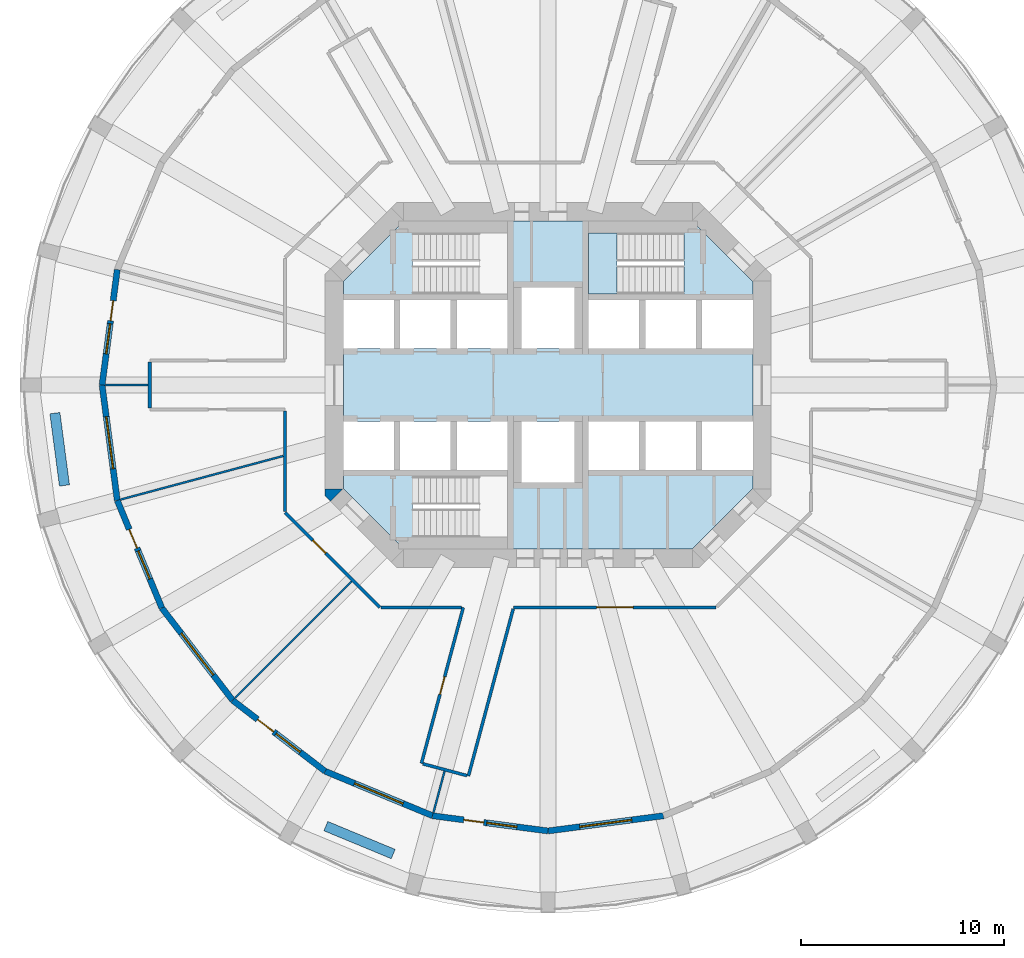
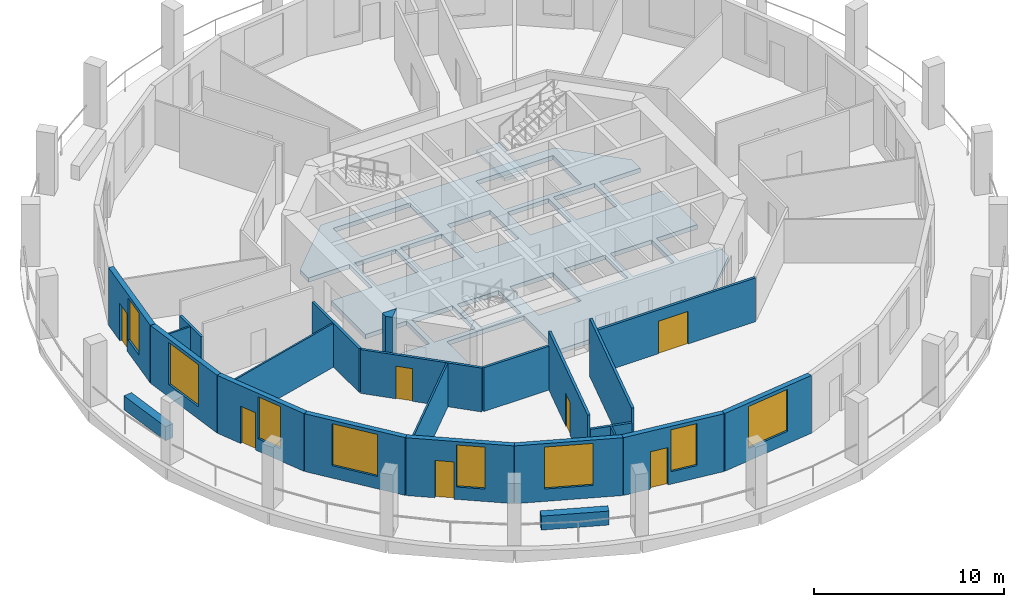
# One storey, part 2 of 9: 23 walls, 8 windows, 7 doors, 2 slabs, 15 openings, 1 element without a shape of its own.
"""IFC4 building model written with IfcOpenShell, lengths in metres."""

from ifc_helpers import new_model, si_unit, direction, frame, frame_2d, origin, place, context, subcontext, project, spatial, polyline, rectangle, outline, extrude, material, layer, layer_set, type_object, element, fill, aggregate, save


model = new_model("IFC4")

# Units and contexts
model_context = context("Model", 3, precision=1e-05, world=origin(), true_north=direction((0.0, 1.0)))
body_context = subcontext(model_context, "Body", "Model", "MODEL_VIEW")
ifc_project = project(units=[si_unit("LENGTHUNIT", "METRE"), si_unit("AREAUNIT", "SQUARE_METRE"), si_unit("VOLUMEUNIT", "CUBIC_METRE"), si_unit("PLANEANGLEUNIT", "RADIAN"), si_unit("MASSUNIT", "GRAM", prefix="KILO")], contexts=[model_context])

# Site, building, storey
site_placement = place(None, origin())
site = spatial("IfcSite", under=ifc_project, at=site_placement, CompositionType="ELEMENT")
building_placement = place(site_placement, origin())
building = spatial("IfcBuilding", under=site, at=building_placement, Name="Torre Triforio", CompositionType="ELEMENT")
storey_placement = place(building_placement, frame((0.0, 0.0, 106.60009765625)))
storey = spatial("IfcBuildingStorey", under=building, at=storey_placement, Name="L23", CompositionType="ELEMENT", Elevation=106.60009765625)

# Slab
ifc_material_1 = material(Name="Concrete C60", Category="concrete")
ifc_layer_1 = layer(ifc_material_1, 0.280029296875)
ifc_layer_set_1 = layer_set([ifc_layer_1], Name="Concrete C60")
slab_type_1 = type_object("IfcSlabType", Name="Core floor slab 280 mm C60 REI 120", PredefinedType="FLOOR", material=ifc_layer_set_1)
slab_1_placement = place(storey_placement, frame((0.0, 0.0, -0.280029296875)))
element("IfcSlab", 1, at=slab_1_placement, inside=storey, type_object=slab_type_1, Name="Core floor slab", PredefinedType="FLOOR", context=body_context, shape_type="SweptSolid", body=[
    extrude(outline(polyline([(10.10009765625, -5.10009765625), (7.10009765625, -8.10009765625), (-7.10009765625, -8.10009765625), (-10.10009765625, -5.10009765625), (-10.10009765625, -4.199951171875), (-7.60009765625, -4.199951171875), (-7.60009765625, -1.800048828125), (-10.10009765625, -1.800048828125), (-10.10009765625, 1.800048828125), (-7.60009765625, 1.800048828125), (-7.60009765625, 4.199951171875), (-10.10009765625, 4.199951171875), (-10.10009765625, 5.10009765625), (-7.10009765625, 8.10009765625), (7.10009765625, 8.10009765625), (10.10009765625, 5.10009765625), (10.10009765625, 4.199951171875), (7.60009765625, 4.199951171875), (7.60009765625, 1.800048828125), (10.10009765625, 1.800048828125), (10.10009765625, -1.800048828125), (7.60009765625, -1.800048828125), (7.60009765625, -4.199951171875), (10.10009765625, -4.199951171875), (10.10009765625, -5.10009765625)]), holes=[polyline([(-2.0, -4.5), (-6.696044921875, -4.5), (-6.696044921875, -7.5), (-2.0, -7.5), (-2.0, -4.5)]), polyline([(-4.800048828125, -1.800048828125), (-7.300048828125, -1.800048828125), (-7.300048828125, -4.199951171875), (-4.800048828125, -4.199951171875), (-4.800048828125, -1.800048828125)]), polyline([(-2.0, -1.800048828125), (-4.5, -1.800048828125), (-4.5, -4.199951171875), (-2.0, -4.199951171875), (-2.0, -1.800048828125)]), polyline([(-4.800048828125, 4.199951171875), (-7.300048828125, 4.199951171875), (-7.300048828125, 1.800048828125), (-4.800048828125, 1.800048828125), (-4.800048828125, 4.199951171875)]), polyline([(-2.0, 4.199951171875), (-4.5, 4.199951171875), (-4.5, 1.800048828125), (-2.0, 1.800048828125), (-2.0, 4.199951171875)]), polyline([(1.300048828125, 4.800048828125), (-1.300048828125, 4.800048828125), (-1.300048828125, 1.800048828125), (1.300048828125, 1.800048828125), (1.300048828125, 4.800048828125)]), polyline([(-2.0, 7.5), (-6.696044921875, 7.5), (-6.696044921875, 4.5), (-2.0, 4.5), (-2.0, 7.5)]), polyline([(1.300048828125, -1.800048828125), (-1.300048828125, -1.800048828125), (-1.300048828125, -4.800048828125), (1.300048828125, -4.800048828125), (1.300048828125, -1.800048828125)]), polyline([(4.5, -1.800048828125), (2.0, -1.800048828125), (2.0, -4.199951171875), (4.5, -4.199951171875), (4.5, -1.800048828125)]), polyline([(7.300048828125, -1.800048828125), (4.800048828125, -1.800048828125), (4.800048828125, -4.199951171875), (7.300048828125, -4.199951171875), (7.300048828125, -1.800048828125)]), polyline([(4.5, 4.199951171875), (2.0, 4.199951171875), (2.0, 1.800048828125), (4.5, 1.800048828125), (4.5, 4.199951171875)]), polyline([(7.300048828125, 4.199951171875), (4.800048828125, 4.199951171875), (4.800048828125, 1.800048828125), (7.300048828125, 1.800048828125), (7.300048828125, 4.199951171875)]), polyline([(6.696044921875, 4.5), (6.696044921875, 7.5), (2.0, 7.5), (2.0, 4.5), (6.696044921875, 4.5)])]), origin(), (0.0, 0.0, 1.0), 0.280029296875),
])

# Stair, slab
ifc_material_2 = material(Name="Concrete C40", Category="concrete")
stair_type = type_object("IfcStairType", Name="STAIR HALF-TURN", PredefinedType="HALF_TURN_STAIR", material=ifc_material_2)
stair_placement = place(storey_placement, origin())
stair = element("IfcStair", 2, at=stair_placement, inside=storey, type_object=stair_type, Name="Exit stair 2", PredefinedType="HALF_TURN_STAIR")
ifc_layer_2 = layer(ifc_material_2, 0.199951171875)
ifc_layer_set_2 = layer_set([ifc_layer_2], Name="Concrete C40")
slab_type_2 = type_object("IfcSlabType", Name="STAIR LANDING 200", PredefinedType="LANDING", material=ifc_layer_set_2)
slab_2_placement = place(storey_placement, frame((0.0, 0.0, 1.7998046875)))
slab_2 = element("IfcSlab", 3, at=slab_2_placement, type_object=slab_type_2, Name="ST2 landing 1", PredefinedType="LANDING", context=body_context, shape_type="SweptSolid", body=[
    extrude(outline(polyline([(3.39990234375, 4.5), (3.39990234375, 7.5), (2.0, 7.5), (2.0, 4.5), (3.39990234375, 4.5)])), origin(), (0.0, 0.0, 1.0), 0.2001953125),
])
aggregate(stair, [slab_2])

# Wall
ifc_layer_3 = layer(ifc_material_1, 0.89990234375)
ifc_layer_set_3 = layer_set([ifc_layer_3], Name="Concrete C60")
wall_type_1 = type_object("IfcWallType", Name="Core wall 900 mm C60 EI 120", PredefinedType="SHEAR", material=ifc_layer_set_3)
wall_1_placement = place(storey_placement, frame((0.0, 0.0, -0.280029296875)))
element("IfcWall", 4, at=wall_1_placement, inside=storey, type_object=wall_type_1, Name="Core wall", PredefinedType="SHEAR", context=body_context, shape_type="SweptSolid", body=[
    extrude(outline(polyline([(-11.0, -5.472900390625), (-11.0, -5.1298828125), (-10.1298828125, -5.1298828125), (-10.736328125, -5.736328125), (-11.0, -5.472900390625)])), origin(), (0.0, 0.0, 1.0), 4.0),
])

# Wall, opening, door
ifc_material_3 = material(Name="Plasterboard on metal studs")
ifc_layer_4 = layer(ifc_material_3, 0.14990234375)
ifc_layer_set_4 = layer_set([ifc_layer_4], Name="Plasterboard on metal studs")
wall_type_2 = type_object("IfcWallType", Name="Corridor and tenancy wall 150 mm EI 60", PredefinedType="PARTITIONING", material=ifc_layer_set_4)
wall_2_placement = place(storey_placement, frame((-8.291015625, -10.97509765625, 0.0), z_axis=(0.0, 0.0, 1.0), x_axis=(-0.707106781187, 0.707106781187, 0.0)))
wall_2 = element("IfcWall", 5, at=wall_2_placement, inside=storey, type_object=wall_type_2, Name="Partition 1", PredefinedType="PARTITIONING", context=body_context, shape_type="SweptSolid", body=[
    extrude(rectangle(XDim=6.624267578125, YDim=0.14990234375, at=frame_2d((3.31201171875, 0.0))), origin(), (0.0, 0.0, 1.0), 2.81982421875),
])
opening_1_placement = place(wall_2_placement, frame((3.7861328125, 0.0, 0.0)))
opening_1 = element("IfcOpeningElement", 6, at=opening_1_placement, cuts=wall_2, Name="Opening N7-04", PredefinedType="OPENING", context=body_context, shape_type="SweptSolid", body=[
    extrude(rectangle(XDim=0.89990234375, YDim=2.10009765625, at=frame_2d((0.449951171875, 1.050048828125))), frame((0.0, 0.0849609375, 0.0), z_axis=(0.0, -1.0, 0.0), x_axis=(1.0, 0.0, 0.0)), (0.0, 0.0, 1.0), 0.169921875),
])
ifc_material_4 = material(Name="Timber", Category="wood")
door_type_1 = type_object("IfcDoorType", Name="Door 900 x 2100 single leaf EI 30", OperationType="NOTDEFINED", PredefinedType="DOOR", material=ifc_material_4)
door_1_placement = place(opening_1_placement, origin())
door_1 = element("IfcDoor", 7, at=door_1_placement, inside=storey, type_object=door_type_1, Name="Door N7-04", OperationType="SINGLE_SWING_RIGHT", OverallHeight=2.10009765625, OverallWidth=0.89990234375, PredefinedType="DOOR", context=body_context, shape_type="SweptSolid", body=[
    extrude(rectangle(XDim=0.89990234375, YDim=2.10009765625, at=frame_2d((0.449951171875, 1.050048828125))), frame((0.0, 0.02490234375, 0.0), z_axis=(0.0, -1.0, 0.0), x_axis=(1.0, 0.0, 0.0)), (0.0, 0.0, 1.0), 0.050048828125),
])
fill(opening_1, door_1)

# Walls
wall_3_placement = place(storey_placement, frame((-12.97509765625, -6.23828125, 0.0), z_axis=(0.0, 0.0, 1.0), x_axis=(0.0, 1.0, 0.0)))
element("IfcWall", 8, at=wall_3_placement, inside=storey, type_object=wall_type_2, Name="Partition 2", PredefinedType="PARTITIONING", context=body_context, shape_type="SweptSolid", body=[
    extrude(rectangle(XDim=4.96337890625, YDim=0.14990234375, at=frame_2d((2.481689453125, 0.0))), origin(), (0.0, 0.0, 1.0), 2.81982421875),
])
wall_4_placement = place(storey_placement, frame((-19.648681640625, -1.125, 0.0), z_axis=(0.0, 0.0, 1.0), x_axis=(0.0, 1.0, 0.0)))
element("IfcWall", 9, at=wall_4_placement, inside=storey, type_object=wall_type_2, Name="Partition 4", PredefinedType="PARTITIONING", context=body_context, shape_type="SweptSolid", body=[
    extrude(rectangle(XDim=2.25, YDim=0.14990234375, at=frame_2d((1.125, 0.0))), origin(), (0.0, 0.0, 1.0), 2.81982421875),
])

# Wall, opening, door
wall_5_placement = place(storey_placement, frame((8.291015625, -10.97509765625, 0.0), z_axis=(0.0, 0.0, 1.0), x_axis=(-1.0, 0.0, 0.0)))
wall_5 = element("IfcWall", 10, at=wall_5_placement, inside=storey, type_object=wall_type_2, Name="Partition 26", PredefinedType="PARTITIONING", context=body_context, shape_type="SweptSolid", body=[
    extrude(rectangle(XDim=9.989501953125, YDim=0.14990234375, at=frame_2d((4.99462890625, 0.0))), origin(), (0.0, 0.0, 1.0), 2.81982421875),
])
opening_2_placement = place(wall_5_placement, frame((4.094482421875, 0.0, 0.0)))
opening_2 = element("IfcOpeningElement", 11, at=opening_2_placement, cuts=wall_5, Name="Opening N7-06", PredefinedType="OPENING", context=body_context, shape_type="SweptSolid", body=[
    extrude(rectangle(XDim=1.800048828125, YDim=2.10009765625, at=frame_2d((0.89990234375, 1.050048828125))), frame((0.0, 0.0849609375, 0.0), z_axis=(0.0, -1.0, 0.0), x_axis=(1.0, 0.0, 0.0)), (0.0, 0.0, 1.0), 0.169921875),
])
door_type_2 = type_object("IfcDoorType", Name="Door 1800 x 2100 double leaf EI 30", OperationType="DOUBLE_DOOR_SINGLE_SWING", PredefinedType="DOOR", material=ifc_material_4)
door_2_placement = place(opening_2_placement, origin())
door_2 = element("IfcDoor", 12, at=door_2_placement, inside=storey, type_object=door_type_2, Name="Door N7-06", OperationType="DOUBLE_DOOR_SINGLE_SWING", OverallHeight=2.10009765625, OverallWidth=1.800048828125, PredefinedType="DOOR", context=body_context, shape_type="SweptSolid", body=[
    extrude(rectangle(XDim=1.800048828125, YDim=2.10009765625, at=frame_2d((0.89990234375, 1.050048828125))), frame((0.0, 0.02490234375, 0.0), z_axis=(0.0, -1.0, 0.0), x_axis=(1.0, 0.0, 0.0)), (0.0, 0.0, 1.0), 0.050048828125),
])
fill(opening_2, door_2)

# Walls
wall_6_placement = place(storey_placement, frame((-1.71728515625, -11.044921875, 0.0), z_axis=(0.0, 0.0, 1.0), x_axis=(-0.258794702264, -0.965932348604, 0.0)))
element("IfcWall", 13, at=wall_6_placement, inside=storey, type_object=wall_type_2, Name="Partition 27", PredefinedType="PARTITIONING", context=body_context, shape_type="SweptSolid", body=[
    extrude(rectangle(XDim=8.53564453125, YDim=0.14990234375, at=frame_2d((4.267822265625, 0.0))), origin(), (0.0, 0.0, 1.0), 3.719970703125),
])
wall_7_placement = place(storey_placement, frame((-3.998779296875, -19.2705078125, 0.0), z_axis=(0.0, 0.0, 1.0), x_axis=(-0.965906393436, 0.258891558609, 0.0)))
element("IfcWall", 14, at=wall_7_placement, inside=storey, type_object=wall_type_2, Name="Partition 28", PredefinedType="PARTITIONING", context=body_context, shape_type="SweptSolid", body=[
    extrude(rectangle(XDim=2.25, YDim=0.14990234375, at=frame_2d((1.125, 0.0))), origin(), (0.0, 0.0, 1.0), 2.81982421875),
])

# Wall, opening, door
wall_8_placement = place(storey_placement, frame((-6.24462890625, -18.668701171875, 0.0), z_axis=(0.0, 0.0, 1.0), x_axis=(0.258822393938, 0.965924928965, 0.0)))
wall_8 = element("IfcWall", 15, at=wall_8_placement, inside=storey, type_object=wall_type_2, Name="Partition 29", PredefinedType="PARTITIONING", context=body_context, shape_type="SweptSolid", body=[
    extrude(rectangle(XDim=7.965087890625, YDim=0.14990234375, at=frame_2d((3.982421875, 0.0))), origin(), (0.0, 0.0, 1.0), 3.719970703125),
])
opening_3_placement = place(wall_8_placement, frame((3.532470703125, 0.0, 0.0)))
opening_3 = element("IfcOpeningElement", 16, at=opening_3_placement, cuts=wall_8, Name="Opening N7-05", PredefinedType="OPENING", context=body_context, shape_type="SweptSolid", body=[
    extrude(rectangle(XDim=0.89990234375, YDim=2.10009765625, at=frame_2d((0.449951171875, 1.050048828125))), frame((0.0, 0.0849609375, 0.0), z_axis=(0.0, -1.0, 0.0), x_axis=(1.0, 0.0, 0.0)), (0.0, 0.0, 1.0), 0.169921875),
])
door_3_placement = place(opening_3_placement, origin())
door_3 = element("IfcDoor", 17, at=door_3_placement, inside=storey, type_object=door_type_1, Name="Door N7-05", OperationType="SINGLE_SWING_LEFT", OverallHeight=2.10009765625, OverallWidth=0.89990234375, PredefinedType="DOOR", context=body_context, shape_type="SweptSolid", body=[
    extrude(rectangle(XDim=0.89990234375, YDim=2.10009765625, at=frame_2d((0.449951171875, 1.050048828125))), frame((0.0, 0.02490234375, 0.0), z_axis=(0.0, -1.0, 0.0), x_axis=(1.0, 0.0, 0.0)), (0.0, 0.0, 1.0), 0.050048828125),
])
fill(opening_3, door_3)

# Walls
wall_9_placement = place(storey_placement, frame((-4.280517578125, -10.97509765625, 0.0), z_axis=(0.0, 0.0, 1.0), x_axis=(-1.0, 0.0, 0.0)))
element("IfcWall", 18, at=wall_9_placement, inside=storey, type_object=wall_type_2, Name="Partition 30", PredefinedType="PARTITIONING", context=body_context, shape_type="SweptSolid", body=[
    extrude(rectangle(XDim=3.957763671875, YDim=0.14990234375, at=frame_2d((1.97900390625, 0.0))), origin(), (0.0, 0.0, 1.0), 2.81982421875),
])
ifc_layer_5 = layer(ifc_material_3, 0.10009765625)
ifc_layer_set_5 = layer_set([ifc_layer_5], Name="Plasterboard on metal studs")
wall_type_3 = type_object("IfcWallType", Name="Partition 100 mm board on metal studs", PredefinedType="PARTITIONING", material=ifc_layer_set_5)
wall_10_placement = place(storey_placement, frame((-19.7236328125, 0.0, 0.0), z_axis=(0.0, 0.0, 1.0), x_axis=(-1.0, 0.0, 0.0)))
element("IfcWall", 19, at=wall_10_placement, inside=storey, type_object=wall_type_3, Name="Partition 39", PredefinedType="PARTITIONING", context=body_context, shape_type="SweptSolid", body=[
    extrude(rectangle(XDim=2.113037109375, YDim=0.10009765625, at=frame_2d((1.056640625, 0.0))), origin(), (0.0, 0.0, 1.0), 2.81982421875),
])
wall_11_placement = place(storey_placement, frame((-13.064208984375, -3.50048828125, 0.0), z_axis=(0.0, 0.0, 1.0), x_axis=(-0.965920254223, -0.258839839442, 0.0)))
element("IfcWall", 20, at=wall_11_placement, inside=storey, type_object=wall_type_3, Name="Partition 40", PredefinedType="PARTITIONING", context=body_context, shape_type="SweptSolid", body=[
    extrude(rectangle(XDim=8.3115234375, YDim=0.10009765625, at=frame_2d((4.15576171875, 0.0))), origin(), (0.0, 0.0, 1.0), 2.81982421875),
])
wall_12_placement = place(storey_placement, frame((-9.68603515625, -9.68603515625, 0.0), z_axis=(0.0, 0.0, 1.0), x_axis=(-0.707106781187, -0.707106781187, 0.0)))
element("IfcWall", 21, at=wall_12_placement, inside=storey, type_object=wall_type_3, Name="Partition 41", PredefinedType="PARTITIONING", context=body_context, shape_type="SweptSolid", body=[
    extrude(rectangle(XDim=8.138671875, YDim=0.10009765625, at=frame_2d((4.0693359375, 0.0))), origin(), (0.0, 0.0, 1.0), 2.81982421875),
])
wall_13_placement = place(storey_placement, frame((-5.10498046875, -19.051513671875, 0.0), z_axis=(0.0, 0.0, 1.0), x_axis=(-0.258813089189, -0.965927422152, 0.0)))
element("IfcWall", 22, at=wall_13_placement, inside=storey, type_object=wall_type_3, Name="Partition 42", PredefinedType="PARTITIONING", context=body_context, shape_type="SweptSolid", body=[
    extrude(rectangle(XDim=2.113037109375, YDim=0.10009765625, at=frame_2d((1.056640625, 0.0))), origin(), (0.0, 0.0, 1.0), 2.81982421875),
])
ifc_material_5 = material(Name="Limestone cladding", Category="masonry")
ifc_layer_6 = layer(ifc_material_5, 0.10009765625)
ifc_layer_7 = layer(ifc_material_2, 0.39990234375)
ifc_layer_set_6 = layer_set([ifc_layer_6, ifc_layer_7], Name="Limestone cladding / Concrete C40")
wall_type_4 = type_object("IfcWallType", Name="Planter wall 500", PredefinedType="PARAPET", material=ifc_layer_set_6)
for number, where, z_axis, x_axis, name in (
    (23, (-24.3271484375, -1.38720703125, 0.0), (0.0, 0.0, 1.0), (0.130551000099, -0.991441595039, 0.0), "Planter L23 bay 13"),
    (24, (-10.962158203125, -21.761474609375, 0.0), (0.0, 0.0, 1.0), (0.923875488976, -0.382693194178, 0.0), "Planter L23 bay 17"),
):
    element("IfcWall", number, at=place(storey_placement, frame(where, z_axis=z_axis, x_axis=x_axis)), inside=storey, type_object=wall_type_4, Name=name, PredefinedType="PARAPET", context=body_context, shape_type="SweptSolid", body=[
        extrude(rectangle(XDim=3.599853515625, YDim=0.5, at=frame_2d((1.7998046875, 0.0))), origin(), (0.0, 0.0, 1.0), 0.89990234375),
    ])

# Wall, openings, door, window
ifc_layer_8 = layer(ifc_material_5, 0.10009765625)
ifc_layer_9 = layer(ifc_material_2, 0.199951171875)
ifc_layer_set_7 = layer_set([ifc_layer_8, ifc_layer_9], Name="Limestone cladding / Concrete C40")
wall_type_5 = type_object("IfcWallType", Name="Stone-faced composite wall 300", PredefinedType="STANDARD", material=ifc_layer_set_7)
wall_14_placement = place(storey_placement, frame((-21.25048828125, 5.694091796875, 0.0), z_axis=(0.0, 0.0, 1.0), x_axis=(-0.130503995834, -0.991447783331, 0.0)))
wall_14 = element("IfcWall", 25, at=wall_14_placement, inside=storey, type_object=wall_type_5, Name="External wall L23 bay 12", PredefinedType="STANDARD", context=body_context, shape_type="SweptSolid", body=[
    extrude(rectangle(XDim=5.7431640625, YDim=0.300048828125, at=frame_2d((2.87158203125, 0.0))), origin(), (0.0, 0.0, 1.0), 3.719970703125),
])
opening_4_placement = place(wall_14_placement, frame((1.546630859375, 0.0, 0.0)))
opening_4 = element("IfcOpeningElement", 26, at=opening_4_placement, cuts=wall_14, Name="Opening N7-D12", PredefinedType="OPENING", context=body_context, shape_type="SweptSolid", body=[
    extrude(rectangle(XDim=1.0, YDim=2.39990234375, at=frame_2d((0.5, 1.199951171875))), frame((0.0, 0.159912109375, 0.0), z_axis=(0.0, -1.0, 0.0), x_axis=(1.0, 0.0, 0.0)), (0.0, 0.0, 1.0), 0.320068359375),
])
opening_5_placement = place(wall_14_placement, frame((2.696533203125, 0.0, 0.800048828125)))
opening_5 = element("IfcOpeningElement", 27, at=opening_5_placement, cuts=wall_14, Name="Opening N7-W12A", PredefinedType="OPENING", context=body_context, shape_type="SweptSolid", body=[
    extrude(rectangle(XDim=1.5, YDim=2.699951171875, at=frame_2d((0.75, 1.35009765625))), frame((0.0, 0.159912109375, 0.0), z_axis=(0.0, -1.0, 0.0), x_axis=(1.0, 0.0, 0.0)), (0.0, 0.0, 1.0), 0.320068359375),
])
ifc_material_6 = material(Name="Aluminium frame with clear double glazing", Category="aluminium")
door_type_3 = type_object("IfcDoorType", Name="Loggia door 1000 x 2400", OperationType="NOTDEFINED", PredefinedType="DOOR", material=ifc_material_6)
door_4_placement = place(opening_4_placement, origin())
door_4 = element("IfcDoor", 28, at=door_4_placement, inside=storey, type_object=door_type_3, Name="Loggia door L23 bay 12", OperationType="SINGLE_SWING_LEFT", OverallHeight=2.39990234375, OverallWidth=1.0, PredefinedType="DOOR", context=body_context, shape_type="SweptSolid", body=[
    extrude(rectangle(XDim=1.0, YDim=2.39990234375, at=frame_2d((0.5, 1.199951171875))), frame((0.0, 0.02490234375, 0.0), z_axis=(0.0, -1.0, 0.0), x_axis=(1.0, 0.0, 0.0)), (0.0, 0.0, 1.0), 0.050048828125),
])
fill(opening_4, door_4)
window_type_1 = type_object("IfcWindowType", Name="Side window 1500 x 2700", PartitioningType="SINGLE_PANEL", PredefinedType="WINDOW", material=ifc_material_6)
window_1_placement = place(opening_5_placement, origin())
window_1 = element("IfcWindow", 29, at=window_1_placement, inside=storey, type_object=window_type_1, Name="Side window EWN12 L23 bay 12", OverallHeight=2.699951171875, OverallWidth=1.5, PartitioningType="SINGLE_PANEL", PredefinedType="WINDOW", context=body_context, shape_type="SweptSolid", body=[
    extrude(rectangle(XDim=1.5, YDim=2.699951171875, at=frame_2d((0.75, 1.35009765625))), frame((0.0, 0.030029296875, 0.0), z_axis=(0.0, -1.0, 0.0), x_axis=(1.0, 0.0, 0.0)), (0.0, 0.0, 1.0), 0.06005859375),
])
fill(opening_5, window_1)

# Wall, opening, window
wall_15_placement = place(storey_placement, frame((-22.0, 0.0, 0.0), z_axis=(0.0, 0.0, 1.0), x_axis=(0.130503995834, -0.991447783331, 0.0)))
wall_15 = element("IfcWall", 30, at=wall_15_placement, inside=storey, type_object=wall_type_5, Name="External wall L23 bay 13", PredefinedType="STANDARD", context=body_context, shape_type="SweptSolid", body=[
    extrude(rectangle(XDim=5.7431640625, YDim=0.300048828125, at=frame_2d((2.87158203125, 0.0))), origin(), (0.0, 0.0, 1.0), 3.719970703125),
])
opening_6_placement = place(wall_15_placement, frame((1.571533203125, 0.0, 0.800048828125)))
opening_6 = element("IfcOpeningElement", 31, at=opening_6_placement, cuts=wall_15, Name="Opening N7-W13", PredefinedType="OPENING", context=body_context, shape_type="SweptSolid", body=[
    extrude(rectangle(XDim=2.60009765625, YDim=2.699951171875, at=frame_2d((1.300048828125, 1.35009765625))), frame((0.0, 0.159912109375, 0.0), z_axis=(0.0, -1.0, 0.0), x_axis=(1.0, 0.0, 0.0)), (0.0, 0.0, 1.0), 0.320068359375),
])
window_type_2 = type_object("IfcWindowType", Name="Punched window 2600 x 2700", PartitioningType="DOUBLE_PANEL_VERTICAL", PredefinedType="WINDOW", material=ifc_material_6)
window_2_placement = place(opening_6_placement, origin())
window_2 = element("IfcWindow", 32, at=window_2_placement, inside=storey, type_object=window_type_2, Name="Window EWN2 L23 bay 13", OverallHeight=2.699951171875, OverallWidth=2.60009765625, PartitioningType="SINGLE_PANEL", PredefinedType="WINDOW", context=body_context, shape_type="SweptSolid", body=[
    extrude(rectangle(XDim=2.60009765625, YDim=2.699951171875, at=frame_2d((1.300048828125, 1.35009765625))), frame((0.0, 0.030029296875, 0.0), z_axis=(0.0, -1.0, 0.0), x_axis=(1.0, 0.0, 0.0)), (0.0, 0.0, 1.0), 0.06005859375),
])
fill(opening_6, window_2)

# Wall, openings, door, window
wall_16_placement = place(storey_placement, frame((-21.25048828125, -5.694091796875, 0.0), z_axis=(0.0, 0.0, 1.0), x_axis=(0.382715966503, -0.923866055759, 0.0)))
wall_16 = element("IfcWall", 33, at=wall_16_placement, inside=storey, type_object=wall_type_5, Name="External wall L23 bay 14", PredefinedType="STANDARD", context=body_context, shape_type="SweptSolid", body=[
    extrude(rectangle(XDim=5.7431640625, YDim=0.300048828125, at=frame_2d((2.87158203125, 0.0))), origin(), (0.0, 0.0, 1.0), 3.719970703125),
])
opening_7_placement = place(wall_16_placement, frame((1.546630859375, 0.0, 0.0)))
opening_7 = element("IfcOpeningElement", 34, at=opening_7_placement, cuts=wall_16, Name="Opening N7-D14", PredefinedType="OPENING", context=body_context, shape_type="SweptSolid", body=[
    extrude(rectangle(XDim=1.0, YDim=2.39990234375, at=frame_2d((0.5, 1.199951171875))), frame((0.0, 0.159912109375, 0.0), z_axis=(0.0, -1.0, 0.0), x_axis=(1.0, 0.0, 0.0)), (0.0, 0.0, 1.0), 0.320068359375),
])
opening_8_placement = place(wall_16_placement, frame((2.696533203125, 0.0, 0.800048828125)))
opening_8 = element("IfcOpeningElement", 35, at=opening_8_placement, cuts=wall_16, Name="Opening N7-W14A", PredefinedType="OPENING", context=body_context, shape_type="SweptSolid", body=[
    extrude(rectangle(XDim=1.5, YDim=2.699951171875, at=frame_2d((0.75, 1.35009765625))), frame((0.0, 0.159912109375, 0.0), z_axis=(0.0, -1.0, 0.0), x_axis=(1.0, 0.0, 0.0)), (0.0, 0.0, 1.0), 0.320068359375),
])
door_5_placement = place(opening_7_placement, origin())
door_5 = element("IfcDoor", 36, at=door_5_placement, inside=storey, type_object=door_type_3, Name="Loggia door L23 bay 14", OperationType="SINGLE_SWING_LEFT", OverallHeight=2.39990234375, OverallWidth=1.0, PredefinedType="DOOR", context=body_context, shape_type="SweptSolid", body=[
    extrude(rectangle(XDim=1.0, YDim=2.39990234375, at=frame_2d((0.5, 1.199951171875))), frame((0.0, 0.02490234375, 0.0), z_axis=(0.0, -1.0, 0.0), x_axis=(1.0, 0.0, 0.0)), (0.0, 0.0, 1.0), 0.050048828125),
])
fill(opening_7, door_5)
window_3_placement = place(opening_8_placement, origin())
window_3 = element("IfcWindow", 37, at=window_3_placement, inside=storey, type_object=window_type_1, Name="Side window EWN12 L23 bay 14", OverallHeight=2.699951171875, OverallWidth=1.5, PartitioningType="SINGLE_PANEL", PredefinedType="WINDOW", context=body_context, shape_type="SweptSolid", body=[
    extrude(rectangle(XDim=1.5, YDim=2.699951171875, at=frame_2d((0.75, 1.35009765625))), frame((0.0, 0.030029296875, 0.0), z_axis=(0.0, -1.0, 0.0), x_axis=(1.0, 0.0, 0.0)), (0.0, 0.0, 1.0), 0.06005859375),
])
fill(opening_8, window_3)

# Wall, opening, window
wall_17_placement = place(storey_placement, frame((-19.052490234375, -11.0, 0.0), z_axis=(0.0, 0.0, 1.0), x_axis=(0.608744744291, -0.793366142647, 0.0)))
wall_17 = element("IfcWall", 38, at=wall_17_placement, inside=storey, type_object=wall_type_5, Name="External wall L23 bay 15", PredefinedType="STANDARD", context=body_context, shape_type="SweptSolid", body=[
    extrude(rectangle(XDim=5.7431640625, YDim=0.300048828125, at=frame_2d((2.87158203125, 0.0))), origin(), (0.0, 0.0, 1.0), 3.719970703125),
])
opening_9_placement = place(wall_17_placement, frame((1.571533203125, 0.0, 0.800048828125)))
opening_9 = element("IfcOpeningElement", 39, at=opening_9_placement, cuts=wall_17, Name="Opening N7-W15", PredefinedType="OPENING", context=body_context, shape_type="SweptSolid", body=[
    extrude(rectangle(XDim=2.60009765625, YDim=2.699951171875, at=frame_2d((1.300048828125, 1.35009765625))), frame((0.0, 0.159912109375, 0.0), z_axis=(0.0, -1.0, 0.0), x_axis=(1.0, 0.0, 0.0)), (0.0, 0.0, 1.0), 0.320068359375),
])
window_4_placement = place(opening_9_placement, origin())
window_4 = element("IfcWindow", 40, at=window_4_placement, inside=storey, type_object=window_type_2, Name="Window EWN2 L23 bay 15", OverallHeight=2.699951171875, OverallWidth=2.60009765625, PartitioningType="SINGLE_PANEL", PredefinedType="WINDOW", context=body_context, shape_type="SweptSolid", body=[
    extrude(rectangle(XDim=2.60009765625, YDim=2.699951171875, at=frame_2d((1.300048828125, 1.35009765625))), frame((0.0, 0.030029296875, 0.0), z_axis=(0.0, -1.0, 0.0), x_axis=(1.0, 0.0, 0.0)), (0.0, 0.0, 1.0), 0.06005859375),
])
fill(opening_9, window_4)

# Wall, openings, door, window
wall_18_placement = place(storey_placement, frame((-15.556396484375, -15.556396484375, 0.0), z_axis=(0.0, 0.0, 1.0), x_axis=(0.793366142647, -0.608744744291, 0.0)))
wall_18 = element("IfcWall", 41, at=wall_18_placement, inside=storey, type_object=wall_type_5, Name="External wall L23 bay 16", PredefinedType="STANDARD", context=body_context, shape_type="SweptSolid", body=[
    extrude(rectangle(XDim=5.7431640625, YDim=0.300048828125, at=frame_2d((2.87158203125, 0.0))), origin(), (0.0, 0.0, 1.0), 3.719970703125),
])
opening_10_placement = place(wall_18_placement, frame((1.546630859375, 0.0, 0.0)))
opening_10 = element("IfcOpeningElement", 42, at=opening_10_placement, cuts=wall_18, Name="Opening N7-D16", PredefinedType="OPENING", context=body_context, shape_type="SweptSolid", body=[
    extrude(rectangle(XDim=1.0, YDim=2.39990234375, at=frame_2d((0.5, 1.199951171875))), frame((0.0, 0.159912109375, 0.0), z_axis=(0.0, -1.0, 0.0), x_axis=(1.0, 0.0, 0.0)), (0.0, 0.0, 1.0), 0.320068359375),
])
opening_11_placement = place(wall_18_placement, frame((2.696533203125, 0.0, 0.800048828125)))
opening_11 = element("IfcOpeningElement", 43, at=opening_11_placement, cuts=wall_18, Name="Opening N7-W16A", PredefinedType="OPENING", context=body_context, shape_type="SweptSolid", body=[
    extrude(rectangle(XDim=1.5, YDim=2.699951171875, at=frame_2d((0.75, 1.35009765625))), frame((0.0, 0.159912109375, 0.0), z_axis=(0.0, -1.0, 0.0), x_axis=(1.0, 0.0, 0.0)), (0.0, 0.0, 1.0), 0.320068359375),
])
door_6_placement = place(opening_10_placement, origin())
door_6 = element("IfcDoor", 44, at=door_6_placement, inside=storey, type_object=door_type_3, Name="Loggia door L23 bay 16", OperationType="SINGLE_SWING_LEFT", OverallHeight=2.39990234375, OverallWidth=1.0, PredefinedType="DOOR", context=body_context, shape_type="SweptSolid", body=[
    extrude(rectangle(XDim=1.0, YDim=2.39990234375, at=frame_2d((0.5, 1.199951171875))), frame((0.0, 0.02490234375, 0.0), z_axis=(0.0, -1.0, 0.0), x_axis=(1.0, 0.0, 0.0)), (0.0, 0.0, 1.0), 0.050048828125),
])
fill(opening_10, door_6)
window_5_placement = place(opening_11_placement, origin())
window_5 = element("IfcWindow", 45, at=window_5_placement, inside=storey, type_object=window_type_1, Name="Side window EWN12 L23 bay 16", OverallHeight=2.699951171875, OverallWidth=1.5, PartitioningType="SINGLE_PANEL", PredefinedType="WINDOW", context=body_context, shape_type="SweptSolid", body=[
    extrude(rectangle(XDim=1.5, YDim=2.699951171875, at=frame_2d((0.75, 1.35009765625))), frame((0.0, 0.030029296875, 0.0), z_axis=(0.0, -1.0, 0.0), x_axis=(1.0, 0.0, 0.0)), (0.0, 0.0, 1.0), 0.06005859375),
])
fill(opening_11, window_5)

# Wall, opening, window
wall_19_placement = place(storey_placement, frame((-11.0, -19.052490234375, 0.0), z_axis=(0.0, 0.0, 1.0), x_axis=(0.923866055759, -0.382715966503, 0.0)))
wall_19 = element("IfcWall", 46, at=wall_19_placement, inside=storey, type_object=wall_type_5, Name="External wall L23 bay 17", PredefinedType="STANDARD", context=body_context, shape_type="SweptSolid", body=[
    extrude(rectangle(XDim=5.7431640625, YDim=0.300048828125, at=frame_2d((2.87158203125, 0.0))), origin(), (0.0, 0.0, 1.0), 3.719970703125),
])
opening_12_placement = place(wall_19_placement, frame((1.571533203125, 0.0, 0.800048828125)))
opening_12 = element("IfcOpeningElement", 47, at=opening_12_placement, cuts=wall_19, Name="Opening N7-W17", PredefinedType="OPENING", context=body_context, shape_type="SweptSolid", body=[
    extrude(rectangle(XDim=2.60009765625, YDim=2.699951171875, at=frame_2d((1.300048828125, 1.35009765625))), frame((0.0, 0.159912109375, 0.0), z_axis=(0.0, -1.0, 0.0), x_axis=(1.0, 0.0, 0.0)), (0.0, 0.0, 1.0), 0.320068359375),
])
window_6_placement = place(opening_12_placement, origin())
window_6 = element("IfcWindow", 48, at=window_6_placement, inside=storey, type_object=window_type_2, Name="Window EWN2 L23 bay 17", OverallHeight=2.699951171875, OverallWidth=2.60009765625, PartitioningType="SINGLE_PANEL", PredefinedType="WINDOW", context=body_context, shape_type="SweptSolid", body=[
    extrude(rectangle(XDim=2.60009765625, YDim=2.699951171875, at=frame_2d((1.300048828125, 1.35009765625))), frame((0.0, 0.030029296875, 0.0), z_axis=(0.0, -1.0, 0.0), x_axis=(1.0, 0.0, 0.0)), (0.0, 0.0, 1.0), 0.06005859375),
])
fill(opening_12, window_6)

# Wall, openings, door, window
wall_20_placement = place(storey_placement, frame((-5.694091796875, -21.25048828125, 0.0), z_axis=(0.0, 0.0, 1.0), x_axis=(0.991447783331, -0.130503995834, 0.0)))
wall_20 = element("IfcWall", 49, at=wall_20_placement, inside=storey, type_object=wall_type_5, Name="External wall L23 bay 18", PredefinedType="STANDARD", context=body_context, shape_type="SweptSolid", body=[
    extrude(rectangle(XDim=5.7431640625, YDim=0.300048828125, at=frame_2d((2.87158203125, 0.0))), origin(), (0.0, 0.0, 1.0), 3.719970703125),
])
opening_13_placement = place(wall_20_placement, frame((1.546630859375, 0.0, 0.0)))
opening_13 = element("IfcOpeningElement", 50, at=opening_13_placement, cuts=wall_20, Name="Opening N7-D18", PredefinedType="OPENING", context=body_context, shape_type="SweptSolid", body=[
    extrude(rectangle(XDim=1.0, YDim=2.39990234375, at=frame_2d((0.5, 1.199951171875))), frame((0.0, 0.159912109375, 0.0), z_axis=(0.0, -1.0, 0.0), x_axis=(1.0, 0.0, 0.0)), (0.0, 0.0, 1.0), 0.320068359375),
])
opening_14_placement = place(wall_20_placement, frame((2.696533203125, 0.0, 0.800048828125)))
opening_14 = element("IfcOpeningElement", 51, at=opening_14_placement, cuts=wall_20, Name="Opening N7-W18A", PredefinedType="OPENING", context=body_context, shape_type="SweptSolid", body=[
    extrude(rectangle(XDim=1.5, YDim=2.699951171875, at=frame_2d((0.75, 1.35009765625))), frame((0.0, 0.159912109375, 0.0), z_axis=(0.0, -1.0, 0.0), x_axis=(1.0, 0.0, 0.0)), (0.0, 0.0, 1.0), 0.320068359375),
])
door_7_placement = place(opening_13_placement, origin())
door_7 = element("IfcDoor", 52, at=door_7_placement, inside=storey, type_object=door_type_3, Name="Loggia door L23 bay 18", OperationType="SINGLE_SWING_LEFT", OverallHeight=2.39990234375, OverallWidth=1.0, PredefinedType="DOOR", context=body_context, shape_type="SweptSolid", body=[
    extrude(rectangle(XDim=1.0, YDim=2.39990234375, at=frame_2d((0.5, 1.199951171875))), frame((0.0, 0.02490234375, 0.0), z_axis=(0.0, -1.0, 0.0), x_axis=(1.0, 0.0, 0.0)), (0.0, 0.0, 1.0), 0.050048828125),
])
fill(opening_13, door_7)
window_7_placement = place(opening_14_placement, origin())
window_7 = element("IfcWindow", 53, at=window_7_placement, inside=storey, type_object=window_type_1, Name="Side window EWN12 L23 bay 18", OverallHeight=2.699951171875, OverallWidth=1.5, PartitioningType="SINGLE_PANEL", PredefinedType="WINDOW", context=body_context, shape_type="SweptSolid", body=[
    extrude(rectangle(XDim=1.5, YDim=2.699951171875, at=frame_2d((0.75, 1.35009765625))), frame((0.0, 0.030029296875, 0.0), z_axis=(0.0, -1.0, 0.0), x_axis=(1.0, 0.0, 0.0)), (0.0, 0.0, 1.0), 0.06005859375),
])
fill(opening_14, window_7)

# Wall, opening, window
wall_21_placement = place(storey_placement, frame((0.0, -22.0, 0.0), z_axis=(0.0, 0.0, 1.0), x_axis=(0.991447783331, 0.130503995834, 0.0)))
wall_21 = element("IfcWall", 54, at=wall_21_placement, inside=storey, type_object=wall_type_5, Name="External wall L23 bay 19", PredefinedType="STANDARD", context=body_context, shape_type="SweptSolid", body=[
    extrude(rectangle(XDim=5.7431640625, YDim=0.300048828125, at=frame_2d((2.87158203125, 0.0))), origin(), (0.0, 0.0, 1.0), 3.719970703125),
])
opening_15_placement = place(wall_21_placement, frame((1.571533203125, 0.0, 0.800048828125)))
opening_15 = element("IfcOpeningElement", 55, at=opening_15_placement, cuts=wall_21, Name="Opening N7-W19", PredefinedType="OPENING", context=body_context, shape_type="SweptSolid", body=[
    extrude(rectangle(XDim=2.60009765625, YDim=2.699951171875, at=frame_2d((1.300048828125, 1.35009765625))), frame((0.0, 0.159912109375, 0.0), z_axis=(0.0, -1.0, 0.0), x_axis=(1.0, 0.0, 0.0)), (0.0, 0.0, 1.0), 0.320068359375),
])
window_8_placement = place(opening_15_placement, origin())
window_8 = element("IfcWindow", 56, at=window_8_placement, inside=storey, type_object=window_type_2, Name="Window EWN2 L23 bay 19", OverallHeight=2.699951171875, OverallWidth=2.60009765625, PartitioningType="SINGLE_PANEL", PredefinedType="WINDOW", context=body_context, shape_type="SweptSolid", body=[
    extrude(rectangle(XDim=2.60009765625, YDim=2.699951171875, at=frame_2d((1.300048828125, 1.35009765625))), frame((0.0, 0.030029296875, 0.0), z_axis=(0.0, -1.0, 0.0), x_axis=(1.0, 0.0, 0.0)), (0.0, 0.0, 1.0), 0.06005859375),
])
fill(opening_15, window_8)

save(model, "model.ifc")
